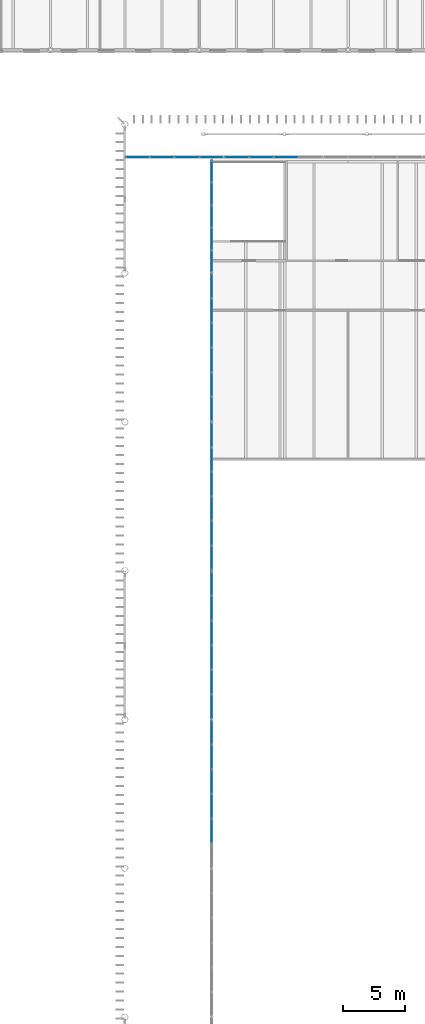
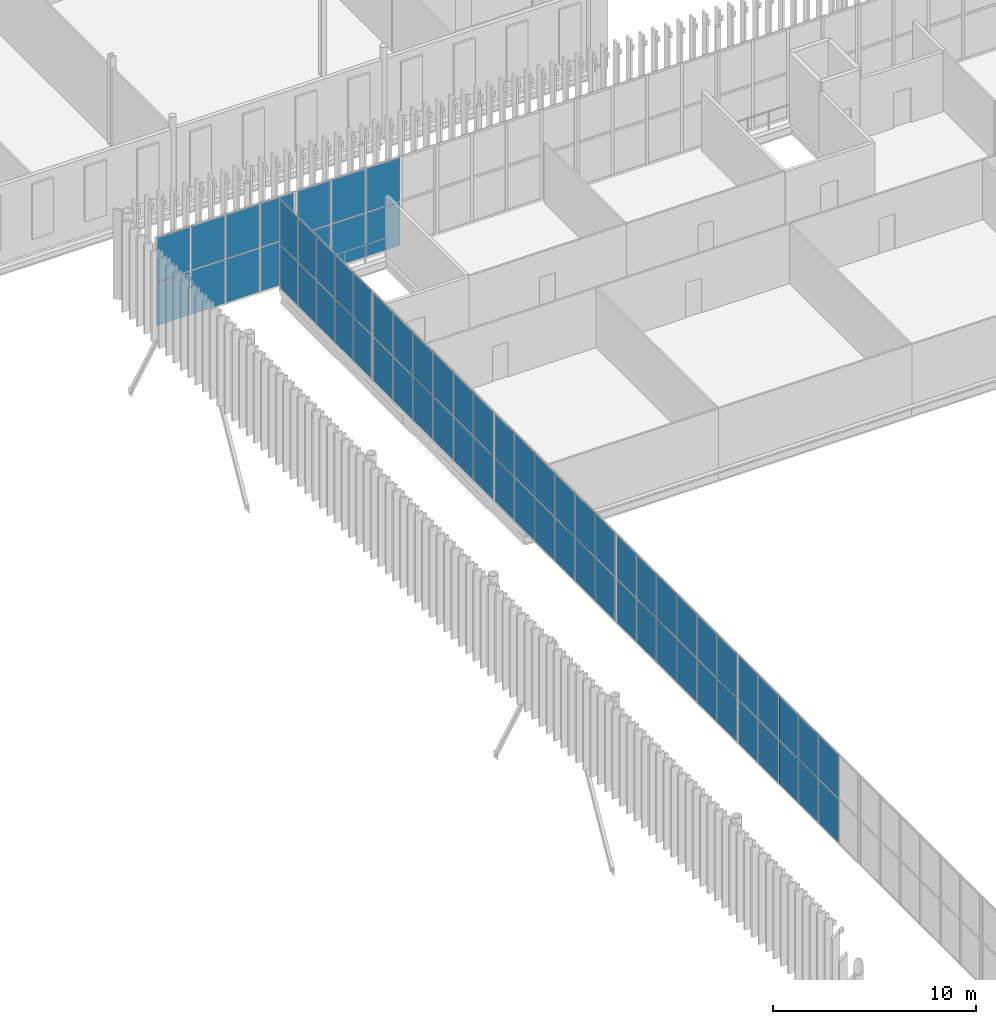
# One storey, part 95 of 170: 70 plates, 7 elements without a shape of their own.
"""IFC4 building model written with IfcOpenShell, lengths in metres."""

from ifc_helpers import new_model, si_unit, direction, frame, origin, origin_2d, place, context, subcontext, project, spatial, rectangle, extrude, material, layer, layer_set, type_object, element, aggregate, save


model = new_model("IFC4")

# Units and contexts
model_context = context("Model", 3, precision=1e-05, world=origin(), true_north=direction((0.0, 1.0)))
body_context = subcontext(model_context, "Body", "Model", "MODEL_VIEW")
ifc_project = project(units=[si_unit("LENGTHUNIT", "METRE"), si_unit("AREAUNIT", "SQUARE_METRE"), si_unit("VOLUMEUNIT", "CUBIC_METRE"), si_unit("PLANEANGLEUNIT", "RADIAN"), si_unit("MASSUNIT", "GRAM", prefix="KILO")], contexts=[model_context])

# Site, building, storey
site_placement = place(None, origin())
site = spatial("IfcSite", under=ifc_project, at=site_placement, CompositionType="ELEMENT")
building_placement = place(site_placement, origin())
building = spatial("IfcBuilding", under=site, at=building_placement, Name="Ravi Spectrum Wholesale Market", CompositionType="ELEMENT")
storey_placement = place(building_placement, frame((0.0, 0.0, 5.39990234375)))
storey = spatial("IfcBuildingStorey", under=building, at=storey_placement, Name="L01", CompositionType="ELEMENT", Elevation=5.39990234375)

# Curtain wall, plates
ifc_material_1 = material(Name="Aluminium 6063-T6", Category="aluminium")
ifc_layer_1 = layer(ifc_material_1, 0.14990234375)
ifc_layer_set_1 = layer_set([ifc_layer_1], Name="Aluminium 6063-T6")
curtain_wall_type = type_object("IfcCurtainWallType", Name="Curtain wall 150", PredefinedType="NOTDEFINED", material=ifc_layer_set_1)
curtain_wall_1_placement = place(storey_placement, origin())
curtain_wall_1 = element("IfcCurtainWall", 1, at=curtain_wall_1_placement, inside=storey, type_object=curtain_wall_type, Name="H1-CW-L01-010", PredefinedType="NOTDEFINED")
ifc_material_2 = material(Name="Toughened glass", Category="glass")
ifc_layer_2 = layer(ifc_material_2, 0.028076171875)
ifc_layer_set_2 = layer_set([ifc_layer_2], Name="Toughened glass")
plate_type = type_object("IfcPlateType", Name="Glazing panel 28", PredefinedType="CURTAIN_PANEL", material=ifc_layer_set_2)
plate_1_placement = place(storey_placement, frame((37.0, 141.02001953125, 0.06005859375), z_axis=(0.0, 0.0, 1.0), x_axis=(0.0, 1.0, 0.0)))
plate_1 = element("IfcPlate", 2, at=plate_1_placement, type_object=plate_type, Name="H1-CW-L01-010 panel 2.1", PredefinedType="CURTAIN_PANEL", context=body_context, shape_type="SweptSolid", body=[
    extrude(rectangle(XDim=1.9267578125, YDim=0.028076171875, at=origin_2d()), origin(), (0.0, 0.0, 1.0), 2.610107421875),
])
plate_2_placement = place(storey_placement, frame((37.0, 141.02001953125, 2.72998046875), z_axis=(0.0, 0.0, 1.0), x_axis=(0.0, 1.0, 0.0)))
plate_2 = element("IfcPlate", 3, at=plate_2_placement, type_object=plate_type, Name="H1-CW-L01-010 panel 2.2", PredefinedType="CURTAIN_PANEL", context=body_context, shape_type="SweptSolid", body=[
    extrude(rectangle(XDim=1.9267578125, YDim=0.028076171875, at=origin_2d()), origin(), (0.0, 0.0, 1.0), 2.610107421875),
])
plate_3_placement = place(storey_placement, frame((37.0, 143.006591796875, 0.06005859375), z_axis=(0.0, 0.0, 1.0), x_axis=(0.0, 1.0, 0.0)))
plate_3 = element("IfcPlate", 4, at=plate_3_placement, type_object=plate_type, Name="H1-CW-L01-010 panel 3.1", PredefinedType="CURTAIN_PANEL", context=body_context, shape_type="SweptSolid", body=[
    extrude(rectangle(XDim=1.9267578125, YDim=0.028076171875, at=origin_2d()), origin(), (0.0, 0.0, 1.0), 2.610107421875),
])
plate_4_placement = place(storey_placement, frame((37.0, 143.006591796875, 2.72998046875), z_axis=(0.0, 0.0, 1.0), x_axis=(0.0, 1.0, 0.0)))
plate_4 = element("IfcPlate", 5, at=plate_4_placement, type_object=plate_type, Name="H1-CW-L01-010 panel 3.2", PredefinedType="CURTAIN_PANEL", context=body_context, shape_type="SweptSolid", body=[
    extrude(rectangle(XDim=1.9267578125, YDim=0.028076171875, at=origin_2d()), origin(), (0.0, 0.0, 1.0), 2.610107421875),
])
plate_5_placement = place(storey_placement, frame((37.0, 144.993408203125, 0.06005859375), z_axis=(0.0, 0.0, 1.0), x_axis=(0.0, 1.0, 0.0)))
plate_5 = element("IfcPlate", 6, at=plate_5_placement, type_object=plate_type, Name="H1-CW-L01-010 panel 4.1", PredefinedType="CURTAIN_PANEL", context=body_context, shape_type="SweptSolid", body=[
    extrude(rectangle(XDim=1.9267578125, YDim=0.028076171875, at=origin_2d()), origin(), (0.0, 0.0, 1.0), 2.610107421875),
])
plate_6_placement = place(storey_placement, frame((37.0, 144.993408203125, 2.72998046875), z_axis=(0.0, 0.0, 1.0), x_axis=(0.0, 1.0, 0.0)))
plate_6 = element("IfcPlate", 7, at=plate_6_placement, type_object=plate_type, Name="H1-CW-L01-010 panel 4.2", PredefinedType="CURTAIN_PANEL", context=body_context, shape_type="SweptSolid", body=[
    extrude(rectangle(XDim=1.9267578125, YDim=0.028076171875, at=origin_2d()), origin(), (0.0, 0.0, 1.0), 2.610107421875),
])
plate_7_placement = place(storey_placement, frame((37.0, 146.97998046875, 0.06005859375), z_axis=(0.0, 0.0, 1.0), x_axis=(0.0, 1.0, 0.0)))
plate_7 = element("IfcPlate", 8, at=plate_7_placement, type_object=plate_type, Name="H1-CW-L01-010 panel 5.1", PredefinedType="CURTAIN_PANEL", context=body_context, shape_type="SweptSolid", body=[
    extrude(rectangle(XDim=1.9267578125, YDim=0.028076171875, at=origin_2d()), origin(), (0.0, 0.0, 1.0), 2.610107421875),
])
plate_8_placement = place(storey_placement, frame((37.0, 146.97998046875, 2.72998046875), z_axis=(0.0, 0.0, 1.0), x_axis=(0.0, 1.0, 0.0)))
plate_8 = element("IfcPlate", 9, at=plate_8_placement, type_object=plate_type, Name="H1-CW-L01-010 panel 5.2", PredefinedType="CURTAIN_PANEL", context=body_context, shape_type="SweptSolid", body=[
    extrude(rectangle(XDim=1.9267578125, YDim=0.028076171875, at=origin_2d()), origin(), (0.0, 0.0, 1.0), 2.610107421875),
])
plate_9_placement = place(storey_placement, frame((37.0, 148.95166015625, 0.06005859375), z_axis=(0.0, 0.0, 1.0), x_axis=(0.0, 1.0, 0.0)))
plate_9 = element("IfcPlate", 10, at=plate_9_placement, type_object=plate_type, Name="H1-CW-L01-010 panel 6.1", PredefinedType="CURTAIN_PANEL", context=body_context, shape_type="SweptSolid", body=[
    extrude(rectangle(XDim=1.896728515625, YDim=0.028076171875, at=origin_2d()), origin(), (0.0, 0.0, 1.0), 2.610107421875),
])
plate_10_placement = place(storey_placement, frame((37.0, 148.95166015625, 2.72998046875), z_axis=(0.0, 0.0, 1.0), x_axis=(0.0, 1.0, 0.0)))
plate_10 = element("IfcPlate", 11, at=plate_10_placement, type_object=plate_type, Name="H1-CW-L01-010 panel 6.2", PredefinedType="CURTAIN_PANEL", context=body_context, shape_type="SweptSolid", body=[
    extrude(rectangle(XDim=1.896728515625, YDim=0.028076171875, at=origin_2d()), origin(), (0.0, 0.0, 1.0), 2.610107421875),
])
aggregate(curtain_wall_1, [plate_1, plate_2, plate_3, plate_4, plate_5, plate_6, plate_7, plate_8, plate_9, plate_10])

curtain_wall_2_placement = place(storey_placement, origin())
curtain_wall_2 = element("IfcCurtainWall", 12, at=curtain_wall_2_placement, inside=storey, type_object=curtain_wall_type, Name="H1-CW-L01-011", PredefinedType="NOTDEFINED")
plate_11_placement = place(storey_placement, frame((37.0, 151.04833984375, 0.06005859375), z_axis=(0.0, 0.0, 1.0), x_axis=(0.0, 1.0, 0.0)))
plate_11 = element("IfcPlate", 13, at=plate_11_placement, type_object=plate_type, Name="H1-CW-L01-011 panel 1.1", PredefinedType="CURTAIN_PANEL", context=body_context, shape_type="SweptSolid", body=[
    extrude(rectangle(XDim=1.896728515625, YDim=0.028076171875, at=origin_2d()), origin(), (0.0, 0.0, 1.0), 2.610107421875),
])
plate_12_placement = place(storey_placement, frame((37.0, 151.04833984375, 2.72998046875), z_axis=(0.0, 0.0, 1.0), x_axis=(0.0, 1.0, 0.0)))
plate_12 = element("IfcPlate", 14, at=plate_12_placement, type_object=plate_type, Name="H1-CW-L01-011 panel 1.2", PredefinedType="CURTAIN_PANEL", context=body_context, shape_type="SweptSolid", body=[
    extrude(rectangle(XDim=1.896728515625, YDim=0.028076171875, at=origin_2d()), origin(), (0.0, 0.0, 1.0), 2.610107421875),
])
plate_13_placement = place(storey_placement, frame((37.0, 153.02001953125, 0.06005859375), z_axis=(0.0, 0.0, 1.0), x_axis=(0.0, 1.0, 0.0)))
plate_13 = element("IfcPlate", 15, at=plate_13_placement, type_object=plate_type, Name="H1-CW-L01-011 panel 2.1", PredefinedType="CURTAIN_PANEL", context=body_context, shape_type="SweptSolid", body=[
    extrude(rectangle(XDim=1.9267578125, YDim=0.028076171875, at=origin_2d()), origin(), (0.0, 0.0, 1.0), 2.610107421875),
])
plate_14_placement = place(storey_placement, frame((37.0, 153.02001953125, 2.72998046875), z_axis=(0.0, 0.0, 1.0), x_axis=(0.0, 1.0, 0.0)))
plate_14 = element("IfcPlate", 16, at=plate_14_placement, type_object=plate_type, Name="H1-CW-L01-011 panel 2.2", PredefinedType="CURTAIN_PANEL", context=body_context, shape_type="SweptSolid", body=[
    extrude(rectangle(XDim=1.9267578125, YDim=0.028076171875, at=origin_2d()), origin(), (0.0, 0.0, 1.0), 2.610107421875),
])
plate_15_placement = place(storey_placement, frame((37.0, 155.006591796875, 0.06005859375), z_axis=(0.0, 0.0, 1.0), x_axis=(0.0, 1.0, 0.0)))
plate_15 = element("IfcPlate", 17, at=plate_15_placement, type_object=plate_type, Name="H1-CW-L01-011 panel 3.1", PredefinedType="CURTAIN_PANEL", context=body_context, shape_type="SweptSolid", body=[
    extrude(rectangle(XDim=1.9267578125, YDim=0.028076171875, at=origin_2d()), origin(), (0.0, 0.0, 1.0), 2.610107421875),
])
plate_16_placement = place(storey_placement, frame((37.0, 155.006591796875, 2.72998046875), z_axis=(0.0, 0.0, 1.0), x_axis=(0.0, 1.0, 0.0)))
plate_16 = element("IfcPlate", 18, at=plate_16_placement, type_object=plate_type, Name="H1-CW-L01-011 panel 3.2", PredefinedType="CURTAIN_PANEL", context=body_context, shape_type="SweptSolid", body=[
    extrude(rectangle(XDim=1.9267578125, YDim=0.028076171875, at=origin_2d()), origin(), (0.0, 0.0, 1.0), 2.610107421875),
])
plate_17_placement = place(storey_placement, frame((37.0, 156.993408203125, 0.06005859375), z_axis=(0.0, 0.0, 1.0), x_axis=(0.0, 1.0, 0.0)))
plate_17 = element("IfcPlate", 19, at=plate_17_placement, type_object=plate_type, Name="H1-CW-L01-011 panel 4.1", PredefinedType="CURTAIN_PANEL", context=body_context, shape_type="SweptSolid", body=[
    extrude(rectangle(XDim=1.9267578125, YDim=0.028076171875, at=origin_2d()), origin(), (0.0, 0.0, 1.0), 2.610107421875),
])
plate_18_placement = place(storey_placement, frame((37.0, 156.993408203125, 2.72998046875), z_axis=(0.0, 0.0, 1.0), x_axis=(0.0, 1.0, 0.0)))
plate_18 = element("IfcPlate", 20, at=plate_18_placement, type_object=plate_type, Name="H1-CW-L01-011 panel 4.2", PredefinedType="CURTAIN_PANEL", context=body_context, shape_type="SweptSolid", body=[
    extrude(rectangle(XDim=1.9267578125, YDim=0.028076171875, at=origin_2d()), origin(), (0.0, 0.0, 1.0), 2.610107421875),
])
plate_19_placement = place(storey_placement, frame((37.0, 158.97998046875, 0.06005859375), z_axis=(0.0, 0.0, 1.0), x_axis=(0.0, 1.0, 0.0)))
plate_19 = element("IfcPlate", 21, at=plate_19_placement, type_object=plate_type, Name="H1-CW-L01-011 panel 5.1", PredefinedType="CURTAIN_PANEL", context=body_context, shape_type="SweptSolid", body=[
    extrude(rectangle(XDim=1.9267578125, YDim=0.028076171875, at=origin_2d()), origin(), (0.0, 0.0, 1.0), 2.610107421875),
])
plate_20_placement = place(storey_placement, frame((37.0, 158.97998046875, 2.72998046875), z_axis=(0.0, 0.0, 1.0), x_axis=(0.0, 1.0, 0.0)))
plate_20 = element("IfcPlate", 22, at=plate_20_placement, type_object=plate_type, Name="H1-CW-L01-011 panel 5.2", PredefinedType="CURTAIN_PANEL", context=body_context, shape_type="SweptSolid", body=[
    extrude(rectangle(XDim=1.9267578125, YDim=0.028076171875, at=origin_2d()), origin(), (0.0, 0.0, 1.0), 2.610107421875),
])
plate_21_placement = place(storey_placement, frame((37.0, 160.95166015625, 0.06005859375), z_axis=(0.0, 0.0, 1.0), x_axis=(0.0, 1.0, 0.0)))
plate_21 = element("IfcPlate", 23, at=plate_21_placement, type_object=plate_type, Name="H1-CW-L01-011 panel 6.1", PredefinedType="CURTAIN_PANEL", context=body_context, shape_type="SweptSolid", body=[
    extrude(rectangle(XDim=1.896728515625, YDim=0.028076171875, at=origin_2d()), origin(), (0.0, 0.0, 1.0), 2.610107421875),
])
plate_22_placement = place(storey_placement, frame((37.0, 160.95166015625, 2.72998046875), z_axis=(0.0, 0.0, 1.0), x_axis=(0.0, 1.0, 0.0)))
plate_22 = element("IfcPlate", 24, at=plate_22_placement, type_object=plate_type, Name="H1-CW-L01-011 panel 6.2", PredefinedType="CURTAIN_PANEL", context=body_context, shape_type="SweptSolid", body=[
    extrude(rectangle(XDim=1.896728515625, YDim=0.028076171875, at=origin_2d()), origin(), (0.0, 0.0, 1.0), 2.610107421875),
])
aggregate(curtain_wall_2, [plate_11, plate_12, plate_13, plate_14, plate_15, plate_16, plate_17, plate_18, plate_19, plate_20, plate_21, plate_22])

curtain_wall_3_placement = place(storey_placement, origin())
curtain_wall_3 = element("IfcCurtainWall", 25, at=curtain_wall_3_placement, inside=storey, type_object=curtain_wall_type, Name="H1-CW-L01-012", PredefinedType="NOTDEFINED")
plate_23_placement = place(storey_placement, frame((37.0, 163.04833984375, 0.06005859375), z_axis=(0.0, 0.0, 1.0), x_axis=(0.0, 1.0, 0.0)))
plate_23 = element("IfcPlate", 26, at=plate_23_placement, type_object=plate_type, Name="H1-CW-L01-012 panel 1.1", PredefinedType="CURTAIN_PANEL", context=body_context, shape_type="SweptSolid", body=[
    extrude(rectangle(XDim=1.896728515625, YDim=0.028076171875, at=origin_2d()), origin(), (0.0, 0.0, 1.0), 2.610107421875),
])
plate_24_placement = place(storey_placement, frame((37.0, 163.04833984375, 2.72998046875), z_axis=(0.0, 0.0, 1.0), x_axis=(0.0, 1.0, 0.0)))
plate_24 = element("IfcPlate", 27, at=plate_24_placement, type_object=plate_type, Name="H1-CW-L01-012 panel 1.2", PredefinedType="CURTAIN_PANEL", context=body_context, shape_type="SweptSolid", body=[
    extrude(rectangle(XDim=1.896728515625, YDim=0.028076171875, at=origin_2d()), origin(), (0.0, 0.0, 1.0), 2.610107421875),
])
plate_25_placement = place(storey_placement, frame((37.0, 165.02001953125, 0.06005859375), z_axis=(0.0, 0.0, 1.0), x_axis=(0.0, 1.0, 0.0)))
plate_25 = element("IfcPlate", 28, at=plate_25_placement, type_object=plate_type, Name="H1-CW-L01-012 panel 2.1", PredefinedType="CURTAIN_PANEL", context=body_context, shape_type="SweptSolid", body=[
    extrude(rectangle(XDim=1.9267578125, YDim=0.028076171875, at=origin_2d()), origin(), (0.0, 0.0, 1.0), 2.610107421875),
])
plate_26_placement = place(storey_placement, frame((37.0, 165.02001953125, 2.72998046875), z_axis=(0.0, 0.0, 1.0), x_axis=(0.0, 1.0, 0.0)))
plate_26 = element("IfcPlate", 29, at=plate_26_placement, type_object=plate_type, Name="H1-CW-L01-012 panel 2.2", PredefinedType="CURTAIN_PANEL", context=body_context, shape_type="SweptSolid", body=[
    extrude(rectangle(XDim=1.9267578125, YDim=0.028076171875, at=origin_2d()), origin(), (0.0, 0.0, 1.0), 2.610107421875),
])
plate_27_placement = place(storey_placement, frame((37.0, 167.006591796875, 0.06005859375), z_axis=(0.0, 0.0, 1.0), x_axis=(0.0, 1.0, 0.0)))
plate_27 = element("IfcPlate", 30, at=plate_27_placement, type_object=plate_type, Name="H1-CW-L01-012 panel 3.1", PredefinedType="CURTAIN_PANEL", context=body_context, shape_type="SweptSolid", body=[
    extrude(rectangle(XDim=1.9267578125, YDim=0.028076171875, at=origin_2d()), origin(), (0.0, 0.0, 1.0), 2.610107421875),
])
plate_28_placement = place(storey_placement, frame((37.0, 167.006591796875, 2.72998046875), z_axis=(0.0, 0.0, 1.0), x_axis=(0.0, 1.0, 0.0)))
plate_28 = element("IfcPlate", 31, at=plate_28_placement, type_object=plate_type, Name="H1-CW-L01-012 panel 3.2", PredefinedType="CURTAIN_PANEL", context=body_context, shape_type="SweptSolid", body=[
    extrude(rectangle(XDim=1.9267578125, YDim=0.028076171875, at=origin_2d()), origin(), (0.0, 0.0, 1.0), 2.610107421875),
])
plate_29_placement = place(storey_placement, frame((37.0, 168.993408203125, 0.06005859375), z_axis=(0.0, 0.0, 1.0), x_axis=(0.0, 1.0, 0.0)))
plate_29 = element("IfcPlate", 32, at=plate_29_placement, type_object=plate_type, Name="H1-CW-L01-012 panel 4.1", PredefinedType="CURTAIN_PANEL", context=body_context, shape_type="SweptSolid", body=[
    extrude(rectangle(XDim=1.9267578125, YDim=0.028076171875, at=origin_2d()), origin(), (0.0, 0.0, 1.0), 2.610107421875),
])
plate_30_placement = place(storey_placement, frame((37.0, 168.993408203125, 2.72998046875), z_axis=(0.0, 0.0, 1.0), x_axis=(0.0, 1.0, 0.0)))
plate_30 = element("IfcPlate", 33, at=plate_30_placement, type_object=plate_type, Name="H1-CW-L01-012 panel 4.2", PredefinedType="CURTAIN_PANEL", context=body_context, shape_type="SweptSolid", body=[
    extrude(rectangle(XDim=1.9267578125, YDim=0.028076171875, at=origin_2d()), origin(), (0.0, 0.0, 1.0), 2.610107421875),
])
plate_31_placement = place(storey_placement, frame((37.0, 170.97998046875, 0.06005859375), z_axis=(0.0, 0.0, 1.0), x_axis=(0.0, 1.0, 0.0)))
plate_31 = element("IfcPlate", 34, at=plate_31_placement, type_object=plate_type, Name="H1-CW-L01-012 panel 5.1", PredefinedType="CURTAIN_PANEL", context=body_context, shape_type="SweptSolid", body=[
    extrude(rectangle(XDim=1.9267578125, YDim=0.028076171875, at=origin_2d()), origin(), (0.0, 0.0, 1.0), 2.610107421875),
])
plate_32_placement = place(storey_placement, frame((37.0, 170.97998046875, 2.72998046875), z_axis=(0.0, 0.0, 1.0), x_axis=(0.0, 1.0, 0.0)))
plate_32 = element("IfcPlate", 35, at=plate_32_placement, type_object=plate_type, Name="H1-CW-L01-012 panel 5.2", PredefinedType="CURTAIN_PANEL", context=body_context, shape_type="SweptSolid", body=[
    extrude(rectangle(XDim=1.9267578125, YDim=0.028076171875, at=origin_2d()), origin(), (0.0, 0.0, 1.0), 2.610107421875),
])
plate_33_placement = place(storey_placement, frame((37.0, 172.95166015625, 0.06005859375), z_axis=(0.0, 0.0, 1.0), x_axis=(0.0, 1.0, 0.0)))
plate_33 = element("IfcPlate", 36, at=plate_33_placement, type_object=plate_type, Name="H1-CW-L01-012 panel 6.1", PredefinedType="CURTAIN_PANEL", context=body_context, shape_type="SweptSolid", body=[
    extrude(rectangle(XDim=1.896728515625, YDim=0.028076171875, at=origin_2d()), origin(), (0.0, 0.0, 1.0), 2.610107421875),
])
plate_34_placement = place(storey_placement, frame((37.0, 172.95166015625, 2.72998046875), z_axis=(0.0, 0.0, 1.0), x_axis=(0.0, 1.0, 0.0)))
plate_34 = element("IfcPlate", 37, at=plate_34_placement, type_object=plate_type, Name="H1-CW-L01-012 panel 6.2", PredefinedType="CURTAIN_PANEL", context=body_context, shape_type="SweptSolid", body=[
    extrude(rectangle(XDim=1.896728515625, YDim=0.028076171875, at=origin_2d()), origin(), (0.0, 0.0, 1.0), 2.610107421875),
])
aggregate(curtain_wall_3, [plate_23, plate_24, plate_25, plate_26, plate_27, plate_28, plate_29, plate_30, plate_31, plate_32, plate_33, plate_34])

curtain_wall_4_placement = place(storey_placement, origin())
curtain_wall_4 = element("IfcCurtainWall", 38, at=curtain_wall_4_placement, inside=storey, type_object=curtain_wall_type, Name="H1-CW-L01-013", PredefinedType="NOTDEFINED")
plate_35_placement = place(storey_placement, frame((37.0, 175.04833984375, 0.06005859375), z_axis=(0.0, 0.0, 1.0), x_axis=(0.0, 1.0, 0.0)))
plate_35 = element("IfcPlate", 39, at=plate_35_placement, type_object=plate_type, Name="H1-CW-L01-013 panel 1.1", PredefinedType="CURTAIN_PANEL", context=body_context, shape_type="SweptSolid", body=[
    extrude(rectangle(XDim=1.896728515625, YDim=0.028076171875, at=origin_2d()), origin(), (0.0, 0.0, 1.0), 2.610107421875),
])
plate_36_placement = place(storey_placement, frame((37.0, 175.04833984375, 2.72998046875), z_axis=(0.0, 0.0, 1.0), x_axis=(0.0, 1.0, 0.0)))
plate_36 = element("IfcPlate", 40, at=plate_36_placement, type_object=plate_type, Name="H1-CW-L01-013 panel 1.2", PredefinedType="CURTAIN_PANEL", context=body_context, shape_type="SweptSolid", body=[
    extrude(rectangle(XDim=1.896728515625, YDim=0.028076171875, at=origin_2d()), origin(), (0.0, 0.0, 1.0), 2.610107421875),
])
plate_37_placement = place(storey_placement, frame((37.0, 177.02001953125, 0.06005859375), z_axis=(0.0, 0.0, 1.0), x_axis=(0.0, 1.0, 0.0)))
plate_37 = element("IfcPlate", 41, at=plate_37_placement, type_object=plate_type, Name="H1-CW-L01-013 panel 2.1", PredefinedType="CURTAIN_PANEL", context=body_context, shape_type="SweptSolid", body=[
    extrude(rectangle(XDim=1.9267578125, YDim=0.028076171875, at=origin_2d()), origin(), (0.0, 0.0, 1.0), 2.610107421875),
])
plate_38_placement = place(storey_placement, frame((37.0, 177.02001953125, 2.72998046875), z_axis=(0.0, 0.0, 1.0), x_axis=(0.0, 1.0, 0.0)))
plate_38 = element("IfcPlate", 42, at=plate_38_placement, type_object=plate_type, Name="H1-CW-L01-013 panel 2.2", PredefinedType="CURTAIN_PANEL", context=body_context, shape_type="SweptSolid", body=[
    extrude(rectangle(XDim=1.9267578125, YDim=0.028076171875, at=origin_2d()), origin(), (0.0, 0.0, 1.0), 2.610107421875),
])
plate_39_placement = place(storey_placement, frame((37.0, 179.006591796875, 0.06005859375), z_axis=(0.0, 0.0, 1.0), x_axis=(0.0, 1.0, 0.0)))
plate_39 = element("IfcPlate", 43, at=plate_39_placement, type_object=plate_type, Name="H1-CW-L01-013 panel 3.1", PredefinedType="CURTAIN_PANEL", context=body_context, shape_type="SweptSolid", body=[
    extrude(rectangle(XDim=1.9267578125, YDim=0.028076171875, at=origin_2d()), origin(), (0.0, 0.0, 1.0), 2.610107421875),
])
plate_40_placement = place(storey_placement, frame((37.0, 179.006591796875, 2.72998046875), z_axis=(0.0, 0.0, 1.0), x_axis=(0.0, 1.0, 0.0)))
plate_40 = element("IfcPlate", 44, at=plate_40_placement, type_object=plate_type, Name="H1-CW-L01-013 panel 3.2", PredefinedType="CURTAIN_PANEL", context=body_context, shape_type="SweptSolid", body=[
    extrude(rectangle(XDim=1.9267578125, YDim=0.028076171875, at=origin_2d()), origin(), (0.0, 0.0, 1.0), 2.610107421875),
])
plate_41_placement = place(storey_placement, frame((37.0, 180.993408203125, 0.06005859375), z_axis=(0.0, 0.0, 1.0), x_axis=(0.0, 1.0, 0.0)))
plate_41 = element("IfcPlate", 45, at=plate_41_placement, type_object=plate_type, Name="H1-CW-L01-013 panel 4.1", PredefinedType="CURTAIN_PANEL", context=body_context, shape_type="SweptSolid", body=[
    extrude(rectangle(XDim=1.9267578125, YDim=0.028076171875, at=origin_2d()), origin(), (0.0, 0.0, 1.0), 2.610107421875),
])
plate_42_placement = place(storey_placement, frame((37.0, 180.993408203125, 2.72998046875), z_axis=(0.0, 0.0, 1.0), x_axis=(0.0, 1.0, 0.0)))
plate_42 = element("IfcPlate", 46, at=plate_42_placement, type_object=plate_type, Name="H1-CW-L01-013 panel 4.2", PredefinedType="CURTAIN_PANEL", context=body_context, shape_type="SweptSolid", body=[
    extrude(rectangle(XDim=1.9267578125, YDim=0.028076171875, at=origin_2d()), origin(), (0.0, 0.0, 1.0), 2.610107421875),
])
plate_43_placement = place(storey_placement, frame((37.0, 182.97998046875, 0.06005859375), z_axis=(0.0, 0.0, 1.0), x_axis=(0.0, 1.0, 0.0)))
plate_43 = element("IfcPlate", 47, at=plate_43_placement, type_object=plate_type, Name="H1-CW-L01-013 panel 5.1", PredefinedType="CURTAIN_PANEL", context=body_context, shape_type="SweptSolid", body=[
    extrude(rectangle(XDim=1.9267578125, YDim=0.028076171875, at=origin_2d()), origin(), (0.0, 0.0, 1.0), 2.610107421875),
])
plate_44_placement = place(storey_placement, frame((37.0, 182.97998046875, 2.72998046875), z_axis=(0.0, 0.0, 1.0), x_axis=(0.0, 1.0, 0.0)))
plate_44 = element("IfcPlate", 48, at=plate_44_placement, type_object=plate_type, Name="H1-CW-L01-013 panel 5.2", PredefinedType="CURTAIN_PANEL", context=body_context, shape_type="SweptSolid", body=[
    extrude(rectangle(XDim=1.9267578125, YDim=0.028076171875, at=origin_2d()), origin(), (0.0, 0.0, 1.0), 2.610107421875),
])
plate_45_placement = place(storey_placement, frame((37.0, 184.95166015625, 0.06005859375), z_axis=(0.0, 0.0, 1.0), x_axis=(0.0, 1.0, 0.0)))
plate_45 = element("IfcPlate", 49, at=plate_45_placement, type_object=plate_type, Name="H1-CW-L01-013 panel 6.1", PredefinedType="CURTAIN_PANEL", context=body_context, shape_type="SweptSolid", body=[
    extrude(rectangle(XDim=1.896728515625, YDim=0.028076171875, at=origin_2d()), origin(), (0.0, 0.0, 1.0), 2.610107421875),
])
plate_46_placement = place(storey_placement, frame((37.0, 184.95166015625, 2.72998046875), z_axis=(0.0, 0.0, 1.0), x_axis=(0.0, 1.0, 0.0)))
plate_46 = element("IfcPlate", 50, at=plate_46_placement, type_object=plate_type, Name="H1-CW-L01-013 panel 6.2", PredefinedType="CURTAIN_PANEL", context=body_context, shape_type="SweptSolid", body=[
    extrude(rectangle(XDim=1.896728515625, YDim=0.028076171875, at=origin_2d()), origin(), (0.0, 0.0, 1.0), 2.610107421875),
])
aggregate(curtain_wall_4, [plate_35, plate_36, plate_37, plate_38, plate_39, plate_40, plate_41, plate_42, plate_43, plate_44, plate_45, plate_46])

curtain_wall_5_placement = place(storey_placement, origin())
curtain_wall_5 = element("IfcCurtainWall", 51, at=curtain_wall_5_placement, inside=storey, type_object=curtain_wall_type, Name="H1-CW-L01-014", PredefinedType="NOTDEFINED")
plate_47_placement = place(storey_placement, frame((37.0, 186.964111328125, 0.06005859375), z_axis=(0.0, 0.0, 1.0), x_axis=(0.0, 1.0, 0.0)))
plate_47 = element("IfcPlate", 52, at=plate_47_placement, type_object=plate_type, Name="H1-CW-L01-014 panel 1.1", PredefinedType="CURTAIN_PANEL", context=body_context, shape_type="SweptSolid", body=[
    extrude(rectangle(XDim=1.72802734375, YDim=0.028076171875, at=origin_2d()), origin(), (0.0, 0.0, 1.0), 2.610107421875),
])
plate_48_placement = place(storey_placement, frame((37.0, 186.964111328125, 2.72998046875), z_axis=(0.0, 0.0, 1.0), x_axis=(0.0, 1.0, 0.0)))
plate_48 = element("IfcPlate", 53, at=plate_48_placement, type_object=plate_type, Name="H1-CW-L01-014 panel 1.2", PredefinedType="CURTAIN_PANEL", context=body_context, shape_type="SweptSolid", body=[
    extrude(rectangle(XDim=1.72802734375, YDim=0.028076171875, at=origin_2d()), origin(), (0.0, 0.0, 1.0), 2.610107421875),
])
plate_49_placement = place(storey_placement, frame((37.0, 188.76708984375, 0.06005859375), z_axis=(0.0, 0.0, 1.0), x_axis=(0.0, 1.0, 0.0)))
plate_49 = element("IfcPlate", 54, at=plate_49_placement, type_object=plate_type, Name="H1-CW-L01-014 panel 2.1", PredefinedType="CURTAIN_PANEL", context=body_context, shape_type="SweptSolid", body=[
    extrude(rectangle(XDim=1.758056640625, YDim=0.028076171875, at=origin_2d()), origin(), (0.0, 0.0, 1.0), 2.610107421875),
])
plate_50_placement = place(storey_placement, frame((37.0, 188.76708984375, 2.72998046875), z_axis=(0.0, 0.0, 1.0), x_axis=(0.0, 1.0, 0.0)))
plate_50 = element("IfcPlate", 55, at=plate_50_placement, type_object=plate_type, Name="H1-CW-L01-014 panel 2.2", PredefinedType="CURTAIN_PANEL", context=body_context, shape_type="SweptSolid", body=[
    extrude(rectangle(XDim=1.758056640625, YDim=0.028076171875, at=origin_2d()), origin(), (0.0, 0.0, 1.0), 2.610107421875),
])
plate_51_placement = place(storey_placement, frame((37.0, 190.5849609375, 0.06005859375), z_axis=(0.0, 0.0, 1.0), x_axis=(0.0, 1.0, 0.0)))
plate_51 = element("IfcPlate", 56, at=plate_51_placement, type_object=plate_type, Name="H1-CW-L01-014 panel 3.1", PredefinedType="CURTAIN_PANEL", context=body_context, shape_type="SweptSolid", body=[
    extrude(rectangle(XDim=1.758056640625, YDim=0.028076171875, at=origin_2d()), origin(), (0.0, 0.0, 1.0), 2.610107421875),
])
plate_52_placement = place(storey_placement, frame((37.0, 190.5849609375, 2.72998046875), z_axis=(0.0, 0.0, 1.0), x_axis=(0.0, 1.0, 0.0)))
plate_52 = element("IfcPlate", 57, at=plate_52_placement, type_object=plate_type, Name="H1-CW-L01-014 panel 3.2", PredefinedType="CURTAIN_PANEL", context=body_context, shape_type="SweptSolid", body=[
    extrude(rectangle(XDim=1.758056640625, YDim=0.028076171875, at=origin_2d()), origin(), (0.0, 0.0, 1.0), 2.610107421875),
])
plate_53_placement = place(storey_placement, frame((37.0, 192.403076171875, 0.06005859375), z_axis=(0.0, 0.0, 1.0), x_axis=(0.0, 1.0, 0.0)))
plate_53 = element("IfcPlate", 58, at=plate_53_placement, type_object=plate_type, Name="H1-CW-L01-014 panel 4.1", PredefinedType="CURTAIN_PANEL", context=body_context, shape_type="SweptSolid", body=[
    extrude(rectangle(XDim=1.758056640625, YDim=0.028076171875, at=origin_2d()), origin(), (0.0, 0.0, 1.0), 2.610107421875),
])
plate_54_placement = place(storey_placement, frame((37.0, 192.403076171875, 2.72998046875), z_axis=(0.0, 0.0, 1.0), x_axis=(0.0, 1.0, 0.0)))
plate_54 = element("IfcPlate", 59, at=plate_54_placement, type_object=plate_type, Name="H1-CW-L01-014 panel 4.2", PredefinedType="CURTAIN_PANEL", context=body_context, shape_type="SweptSolid", body=[
    extrude(rectangle(XDim=1.758056640625, YDim=0.028076171875, at=origin_2d()), origin(), (0.0, 0.0, 1.0), 2.610107421875),
])
plate_55_placement = place(storey_placement, frame((37.0, 194.2060546875, 0.06005859375), z_axis=(0.0, 0.0, 1.0), x_axis=(0.0, 1.0, 0.0)))
plate_55 = element("IfcPlate", 60, at=plate_55_placement, type_object=plate_type, Name="H1-CW-L01-014 panel 5.1", PredefinedType="CURTAIN_PANEL", context=body_context, shape_type="SweptSolid", body=[
    extrude(rectangle(XDim=1.72802734375, YDim=0.028076171875, at=origin_2d()), origin(), (0.0, 0.0, 1.0), 2.610107421875),
])
plate_56_placement = place(storey_placement, frame((37.0, 194.2060546875, 2.72998046875), z_axis=(0.0, 0.0, 1.0), x_axis=(0.0, 1.0, 0.0)))
plate_56 = element("IfcPlate", 61, at=plate_56_placement, type_object=plate_type, Name="H1-CW-L01-014 panel 5.2", PredefinedType="CURTAIN_PANEL", context=body_context, shape_type="SweptSolid", body=[
    extrude(rectangle(XDim=1.72802734375, YDim=0.028076171875, at=origin_2d()), origin(), (0.0, 0.0, 1.0), 2.610107421875),
])
aggregate(curtain_wall_5, [plate_47, plate_48, plate_49, plate_50, plate_51, plate_52, plate_53, plate_54, plate_55, plate_56])

curtain_wall_6_placement = place(storey_placement, origin())
curtain_wall_6 = element("IfcCurtainWall", 62, at=curtain_wall_6_placement, inside=storey, type_object=curtain_wall_type, Name="H1-CW-L01-053", PredefinedType="NOTDEFINED")
plate_57_placement = place(storey_placement, frame((31.044921875, 195.340087890625, 0.06005859375), z_axis=(0.0, 0.0, 1.0), x_axis=(1.0, 0.0, 0.0)))
plate_57 = element("IfcPlate", 63, at=plate_57_placement, type_object=plate_type, Name="H1-CW-L01-053 panel 1.1", PredefinedType="CURTAIN_PANEL", context=body_context, shape_type="SweptSolid", body=[
    extrude(rectangle(XDim=1.889892578125, YDim=0.028076171875, at=origin_2d()), origin(), (0.0, 0.0, 1.0), 2.610107421875),
])
plate_58_placement = place(storey_placement, frame((31.044921875, 195.340087890625, 2.72998046875), z_axis=(0.0, 0.0, 1.0), x_axis=(1.0, 0.0, 0.0)))
plate_58 = element("IfcPlate", 64, at=plate_58_placement, type_object=plate_type, Name="H1-CW-L01-053 panel 1.2", PredefinedType="CURTAIN_PANEL", context=body_context, shape_type="SweptSolid", body=[
    extrude(rectangle(XDim=1.889892578125, YDim=0.028076171875, at=origin_2d()), origin(), (0.0, 0.0, 1.0), 2.610107421875),
])
plate_59_placement = place(storey_placement, frame((33.010009765625, 195.340087890625, 0.06005859375), z_axis=(0.0, 0.0, 1.0), x_axis=(1.0, 0.0, 0.0)))
plate_59 = element("IfcPlate", 65, at=plate_59_placement, type_object=plate_type, Name="H1-CW-L01-053 panel 2.1", PredefinedType="CURTAIN_PANEL", context=body_context, shape_type="SweptSolid", body=[
    extrude(rectangle(XDim=1.919921875, YDim=0.028076171875, at=origin_2d()), origin(), (0.0, 0.0, 1.0), 2.610107421875),
])
plate_60_placement = place(storey_placement, frame((33.010009765625, 195.340087890625, 2.72998046875), z_axis=(0.0, 0.0, 1.0), x_axis=(1.0, 0.0, 0.0)))
plate_60 = element("IfcPlate", 66, at=plate_60_placement, type_object=plate_type, Name="H1-CW-L01-053 panel 2.2", PredefinedType="CURTAIN_PANEL", context=body_context, shape_type="SweptSolid", body=[
    extrude(rectangle(XDim=1.919921875, YDim=0.028076171875, at=origin_2d()), origin(), (0.0, 0.0, 1.0), 2.610107421875),
])
plate_61_placement = place(storey_placement, frame((34.989990234375, 195.340087890625, 0.06005859375), z_axis=(0.0, 0.0, 1.0), x_axis=(1.0, 0.0, 0.0)))
plate_61 = element("IfcPlate", 67, at=plate_61_placement, type_object=plate_type, Name="H1-CW-L01-053 panel 3.1", PredefinedType="CURTAIN_PANEL", context=body_context, shape_type="SweptSolid", body=[
    extrude(rectangle(XDim=1.919921875, YDim=0.028076171875, at=origin_2d()), origin(), (0.0, 0.0, 1.0), 2.610107421875),
])
plate_62_placement = place(storey_placement, frame((34.989990234375, 195.340087890625, 2.72998046875), z_axis=(0.0, 0.0, 1.0), x_axis=(1.0, 0.0, 0.0)))
plate_62 = element("IfcPlate", 68, at=plate_62_placement, type_object=plate_type, Name="H1-CW-L01-053 panel 3.2", PredefinedType="CURTAIN_PANEL", context=body_context, shape_type="SweptSolid", body=[
    extrude(rectangle(XDim=1.919921875, YDim=0.028076171875, at=origin_2d()), origin(), (0.0, 0.0, 1.0), 2.610107421875),
])
plate_63_placement = place(storey_placement, frame((36.955078125, 195.340087890625, 0.06005859375), z_axis=(0.0, 0.0, 1.0), x_axis=(1.0, 0.0, 0.0)))
plate_63 = element("IfcPlate", 69, at=plate_63_placement, type_object=plate_type, Name="H1-CW-L01-053 panel 4.1", PredefinedType="CURTAIN_PANEL", context=body_context, shape_type="SweptSolid", body=[
    extrude(rectangle(XDim=1.889892578125, YDim=0.028076171875, at=origin_2d()), origin(), (0.0, 0.0, 1.0), 2.610107421875),
])
plate_64_placement = place(storey_placement, frame((36.955078125, 195.340087890625, 2.72998046875), z_axis=(0.0, 0.0, 1.0), x_axis=(1.0, 0.0, 0.0)))
plate_64 = element("IfcPlate", 70, at=plate_64_placement, type_object=plate_type, Name="H1-CW-L01-053 panel 4.2", PredefinedType="CURTAIN_PANEL", context=body_context, shape_type="SweptSolid", body=[
    extrude(rectangle(XDim=1.889892578125, YDim=0.028076171875, at=origin_2d()), origin(), (0.0, 0.0, 1.0), 2.610107421875),
])
aggregate(curtain_wall_6, [plate_57, plate_58, plate_59, plate_60, plate_61, plate_62, plate_63, plate_64])

curtain_wall_7_placement = place(storey_placement, origin())
curtain_wall_7 = element("IfcCurtainWall", 71, at=curtain_wall_7_placement, inside=storey, type_object=curtain_wall_type, Name="H1-CW-L01-054", PredefinedType="NOTDEFINED")
plate_65_placement = place(storey_placement, frame((39.044921875, 195.340087890625, 0.06005859375), z_axis=(0.0, 0.0, 1.0), x_axis=(1.0, 0.0, 0.0)))
plate_65 = element("IfcPlate", 72, at=plate_65_placement, type_object=plate_type, Name="H1-CW-L01-054 panel 1.1", PredefinedType="CURTAIN_PANEL", context=body_context, shape_type="SweptSolid", body=[
    extrude(rectangle(XDim=1.889892578125, YDim=0.028076171875, at=origin_2d()), origin(), (0.0, 0.0, 1.0), 2.610107421875),
])
plate_66_placement = place(storey_placement, frame((39.044921875, 195.340087890625, 2.72998046875), z_axis=(0.0, 0.0, 1.0), x_axis=(1.0, 0.0, 0.0)))
plate_66 = element("IfcPlate", 73, at=plate_66_placement, type_object=plate_type, Name="H1-CW-L01-054 panel 1.2", PredefinedType="CURTAIN_PANEL", context=body_context, shape_type="SweptSolid", body=[
    extrude(rectangle(XDim=1.889892578125, YDim=0.028076171875, at=origin_2d()), origin(), (0.0, 0.0, 1.0), 2.610107421875),
])
plate_67_placement = place(storey_placement, frame((41.010009765625, 195.340087890625, 0.06005859375), z_axis=(0.0, 0.0, 1.0), x_axis=(1.0, 0.0, 0.0)))
plate_67 = element("IfcPlate", 74, at=plate_67_placement, type_object=plate_type, Name="H1-CW-L01-054 panel 2.1", PredefinedType="CURTAIN_PANEL", context=body_context, shape_type="SweptSolid", body=[
    extrude(rectangle(XDim=1.919921875, YDim=0.028076171875, at=origin_2d()), origin(), (0.0, 0.0, 1.0), 2.610107421875),
])
plate_68_placement = place(storey_placement, frame((41.010009765625, 195.340087890625, 2.72998046875), z_axis=(0.0, 0.0, 1.0), x_axis=(1.0, 0.0, 0.0)))
plate_68 = element("IfcPlate", 75, at=plate_68_placement, type_object=plate_type, Name="H1-CW-L01-054 panel 2.2", PredefinedType="CURTAIN_PANEL", context=body_context, shape_type="SweptSolid", body=[
    extrude(rectangle(XDim=1.919921875, YDim=0.028076171875, at=origin_2d()), origin(), (0.0, 0.0, 1.0), 2.610107421875),
])
plate_69_placement = place(storey_placement, frame((42.989990234375, 195.340087890625, 0.06005859375), z_axis=(0.0, 0.0, 1.0), x_axis=(1.0, 0.0, 0.0)))
plate_69 = element("IfcPlate", 76, at=plate_69_placement, type_object=plate_type, Name="H1-CW-L01-054 panel 3.1", PredefinedType="CURTAIN_PANEL", context=body_context, shape_type="SweptSolid", body=[
    extrude(rectangle(XDim=1.919921875, YDim=0.028076171875, at=origin_2d()), origin(), (0.0, 0.0, 1.0), 2.610107421875),
])
plate_70_placement = place(storey_placement, frame((42.989990234375, 195.340087890625, 2.72998046875), z_axis=(0.0, 0.0, 1.0), x_axis=(1.0, 0.0, 0.0)))
plate_70 = element("IfcPlate", 77, at=plate_70_placement, type_object=plate_type, Name="H1-CW-L01-054 panel 3.2", PredefinedType="CURTAIN_PANEL", context=body_context, shape_type="SweptSolid", body=[
    extrude(rectangle(XDim=1.919921875, YDim=0.028076171875, at=origin_2d()), origin(), (0.0, 0.0, 1.0), 2.610107421875),
])
aggregate(curtain_wall_7, [plate_65, plate_66, plate_67, plate_68, plate_69, plate_70])

save(model, "model.ifc")
